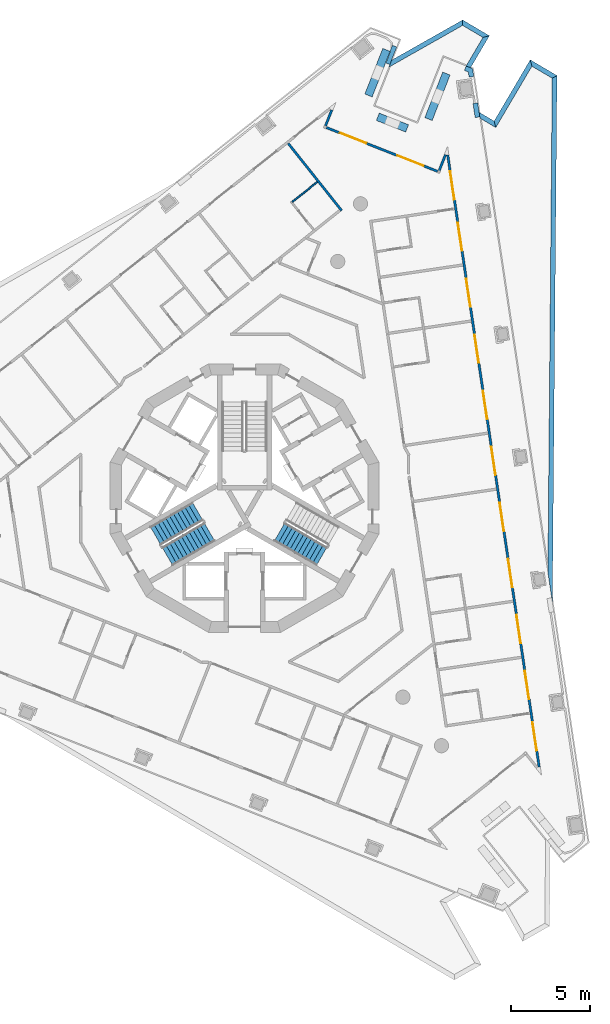
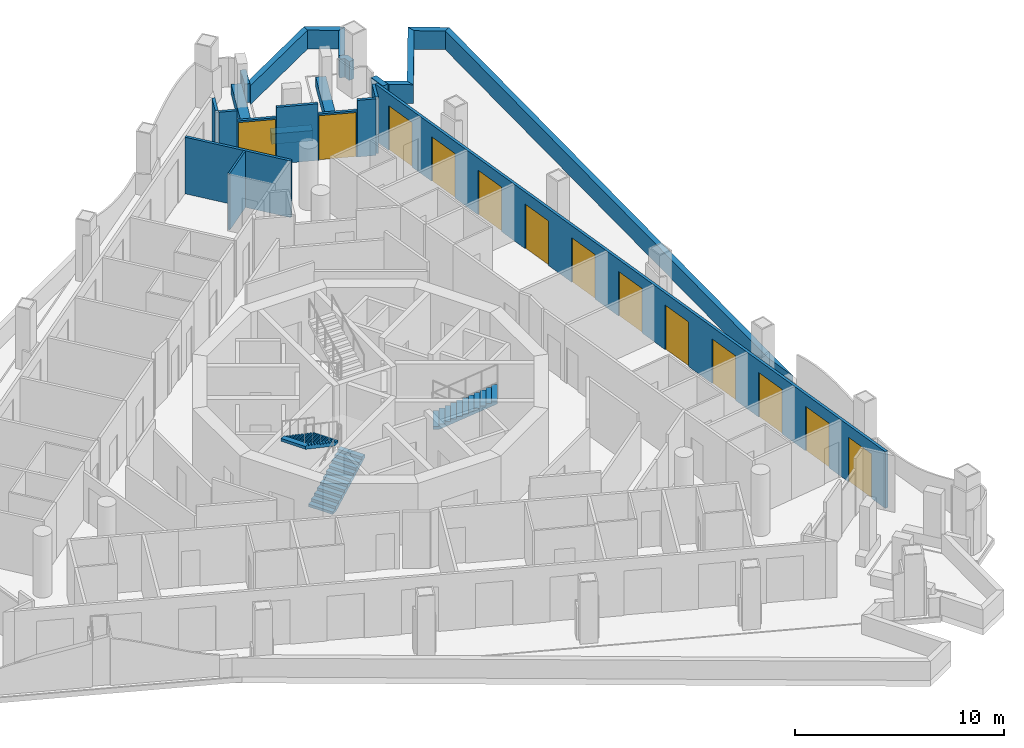
# One storey, part 9 of 16: 23 walls, 13 doors, 3 stair flights, 13 openings, 2 elements without a shape of their own.
"""IFC4 building model written with IfcOpenShell, lengths in metres."""

from ifc_helpers import new_model, si_unit, direction, frame, frame_2d, origin, place, context, subcontext, project, spatial, polyline, rectangle, outline, extrude, material, layer, layer_set, type_object, element, fill, aggregate, save


model = new_model("IFC4")

# Units and contexts
model_context = context("Model", 3, precision=1e-05, world=origin(), true_north=direction((0.0, 1.0)))
body_context = subcontext(model_context, "Body", "Model", "MODEL_VIEW")
ifc_project = project(units=[si_unit("LENGTHUNIT", "METRE"), si_unit("AREAUNIT", "SQUARE_METRE"), si_unit("VOLUMEUNIT", "CUBIC_METRE"), si_unit("PLANEANGLEUNIT", "RADIAN"), si_unit("MASSUNIT", "GRAM", prefix="KILO")], contexts=[model_context])

# Site, building, storey
site_placement = place(None, origin())
site = spatial("IfcSite", under=ifc_project, at=site_placement, CompositionType="ELEMENT")
building_placement = place(site_placement, origin())
building = spatial("IfcBuilding", under=site, at=building_placement, Name="Trine Commons Tower", CompositionType="ELEMENT")
storey_placement = place(building_placement, frame((0.0, 0.0, 198.0)))
storey = spatial("IfcBuildingStorey", under=building, at=storey_placement, Name="L51", CompositionType="ELEMENT", Elevation=198.0)

# Walls
ifc_material_1 = material(Name="Aluminium-framed insulated wall panel", Category="aluminium")
ifc_layer_1 = layer(ifc_material_1, 0.14990234375)
ifc_layer_set_1 = layer_set([ifc_layer_1], Name="Aluminium-framed insulated wall panel")
wall_type_1 = type_object("IfcWallType", Name="Glazed frame wall 150, EI 60", PredefinedType="SOLIDWALL", material=ifc_layer_set_1)
wall_1_placement = place(storey_placement, frame((85.575927734375, 87.201171875, 0.0), z_axis=(0.0, 0.0, 1.0), x_axis=(-0.366472142006, -0.930429024232, 0.0)))
element("IfcWall", 1, at=wall_1_placement, inside=storey, type_object=wall_type_1, Name="Glazed frame wall R2", PredefinedType="SOLIDWALL", context=body_context, shape_type="SweptSolid", body=[
    extrude(outline(polyline([(0.1494140625, 0.074951171875), (0.1494140625, -0.074951171875), (1.235107421875, -0.074951171875), (1.235107421875, 0.074951171875), (0.1494140625, 0.074951171875)])), origin(), (0.0, 0.0, 1.0), 3.300048828125),
])
wall_2_placement = place(storey_placement, frame((85.063232421875, 85.9951171875, 0.0), z_axis=(0.0, 0.0, 1.0), x_axis=(0.930433620143, -0.366460473323, 0.0)))
element("IfcWall", 2, at=wall_2_placement, inside=storey, type_object=wall_type_1, Name="Glazed frame wall P1.1", PredefinedType="SOLIDWALL", context=body_context, shape_type="SweptSolid", body=[
    extrude(outline(polyline([(0.110107421875, -0.074951171875), (1.0, -0.074951171875), (1.0, 0.074951171875), (0.110107421875, 0.074951171875), (0.110107421875, -0.074951171875)])), origin(), (0.0, 0.0, 1.0), 3.300048828125),
])

# Wall, opening, door
wall_3_placement = place(storey_placement, frame((85.99365234375, 85.628662109375, 0.0), z_axis=(0.0, 0.0, 1.0), x_axis=(0.930387146689, -0.366578446279, 0.0)))
wall_3 = element("IfcWall", 3, at=wall_3_placement, inside=storey, type_object=wall_type_1, Name="Glazed frame wall P1.2", PredefinedType="SOLIDWALL", context=body_context, shape_type="SweptSolid", body=[
    extrude(outline(polyline([(0.0, -0.074951171875), (1.89990234375, -0.074951171875), (1.89990234375, 0.074951171875), (0.0, 0.074951171875), (0.0, -0.074951171875)])), origin(), (0.0, 0.0, 1.0), 2.699951171875),
])
opening_1_placement = place(wall_3_placement, frame((0.050048828125, 0.0, 0.0)))
opening_1 = element("IfcOpeningElement", 4, at=opening_1_placement, cuts=wall_3, Name="Opening BD-6P1-01", PredefinedType="OPENING", context=body_context, shape_type="SweptSolid", body=[
    extrude(rectangle(XDim=1.800048828125, YDim=2.60009765625, at=frame_2d((0.89990234375, 1.300048828125))), frame((0.0, 0.0849609375, 0.0), z_axis=(0.0, -1.0, 0.0), x_axis=(1.0, 0.0, 0.0)), (0.0, 0.0, 1.0), 0.169921875),
])
ifc_material_2 = material(Name="Anodised aluminium frame with double glazing", Category="aluminium")
door_type = type_object("IfcDoorType", Name="Sliding loggia door 1800x2600", OperationType="SLIDING_TO_LEFT", PredefinedType="DOOR", material=ifc_material_2)
door_1_placement = place(opening_1_placement, origin())
door_1 = element("IfcDoor", 5, at=door_1_placement, inside=storey, type_object=door_type, Name="Loggia door P1 1", OperationType="SLIDING_TO_LEFT", OverallHeight=2.60009765625, OverallWidth=1.800048828125, PredefinedType="DOOR", context=body_context, shape_type="SweptSolid", body=[
    extrude(rectangle(XDim=1.800048828125, YDim=2.60009765625, at=frame_2d((0.89990234375, 1.300048828125))), frame((0.0, 0.02490234375, 0.0), z_axis=(0.0, -1.0, 0.0), x_axis=(1.0, 0.0, 0.0)), (0.0, 0.0, 1.0), 0.050048828125),
])
fill(opening_1, door_1)

# Wall
wall_4_placement = place(storey_placement, frame((87.761474609375, 84.93212890625, 0.0), z_axis=(0.0, 0.0, 1.0), x_axis=(0.930433620143, -0.366460473323, 0.0)))
element("IfcWall", 6, at=wall_4_placement, inside=storey, type_object=wall_type_1, Name="Glazed frame wall P1.3", PredefinedType="SOLIDWALL", context=body_context, shape_type="SweptSolid", body=[
    extrude(outline(polyline([(0.0, -0.074951171875), (2.0, -0.074951171875), (2.0, 0.074951171875), (0.0, 0.074951171875), (0.0, -0.074951171875)])), origin(), (0.0, 0.0, 1.0), 3.300048828125),
])

# Wall, opening, door
wall_5_placement = place(storey_placement, frame((89.622314453125, 84.19921875, 0.0), z_axis=(0.0, 0.0, 1.0), x_axis=(0.930387146689, -0.366578446279, 0.0)))
wall_5 = element("IfcWall", 7, at=wall_5_placement, inside=storey, type_object=wall_type_1, Name="Glazed frame wall P1.4", PredefinedType="SOLIDWALL", context=body_context, shape_type="SweptSolid", body=[
    extrude(outline(polyline([(0.0, -0.074951171875), (1.89990234375, -0.074951171875), (1.89990234375, 0.074951171875), (0.0, 0.074951171875), (0.0, -0.074951171875)])), origin(), (0.0, 0.0, 1.0), 2.699951171875),
])
opening_2_placement = place(wall_5_placement, frame((0.050048828125, 0.0, 0.0)))
opening_2 = element("IfcOpeningElement", 8, at=opening_2_placement, cuts=wall_5, Name="Opening BD-6P1-02", PredefinedType="OPENING", context=body_context, shape_type="SweptSolid", body=[
    extrude(rectangle(XDim=1.800048828125, YDim=2.60009765625, at=frame_2d((0.89990234375, 1.300048828125))), frame((0.0, 0.0849609375, 0.0), z_axis=(0.0, -1.0, 0.0), x_axis=(1.0, 0.0, 0.0)), (0.0, 0.0, 1.0), 0.169921875),
])
door_2_placement = place(opening_2_placement, origin())
door_2 = element("IfcDoor", 9, at=door_2_placement, inside=storey, type_object=door_type, Name="Loggia door P1 2", OperationType="SLIDING_TO_LEFT", OverallHeight=2.60009765625, OverallWidth=1.800048828125, PredefinedType="DOOR", context=body_context, shape_type="SweptSolid", body=[
    extrude(rectangle(XDim=1.800048828125, YDim=2.60009765625, at=frame_2d((0.89990234375, 1.300048828125))), frame((0.0, 0.02490234375, 0.0), z_axis=(0.0, -1.0, 0.0), x_axis=(1.0, 0.0, 0.0)), (0.0, 0.0, 1.0), 0.050048828125),
])
fill(opening_2, door_2)

# Walls
wall_6_placement = place(storey_placement, frame((91.39013671875, 83.502685546875, 0.0), z_axis=(0.0, 0.0, 1.0), x_axis=(0.930433620143, -0.366460473323, 0.0)))
element("IfcWall", 10, at=wall_6_placement, inside=storey, type_object=wall_type_1, Name="Glazed frame wall P1.5", PredefinedType="SOLIDWALL", context=body_context, shape_type="SweptSolid", body=[
    extrude(outline(polyline([(0.889892578125, 0.074951171875), (0.0, 0.074951171875), (0.0, -0.074951171875), (0.889892578125, -0.074951171875), (0.889892578125, 0.074951171875)])), origin(), (0.0, 0.0, 1.0), 3.300048828125),
])
wall_7_placement = place(storey_placement, frame((92.275146484375, 83.11669921875, 0.0), z_axis=(0.0, 0.0, 1.0), x_axis=(0.366534042844, 0.9304046407, 0.0)))
element("IfcWall", 11, at=wall_7_placement, inside=storey, type_object=wall_type_1, Name="Glazed frame wall R4", PredefinedType="SOLIDWALL", context=body_context, shape_type="SweptSolid", body=[
    extrude(outline(polyline([(0.110107421875, 0.074951171875), (0.110107421875, -0.074951171875), (1.19580078125, -0.074951171875), (1.19580078125, 0.074951171875), (0.110107421875, 0.074951171875)])), origin(), (0.0, 0.0, 1.0), 3.300048828125),
])

# Wall, openings, doors
wall_8_placement = place(storey_placement, frame((92.835205078125, 84.3603515625, 0.0), z_axis=(0.0, 0.0, 1.0), x_axis=(0.147810490781, -0.989015702006, 0.0)))
wall_8 = element("IfcWall", 12, at=wall_8_placement, inside=storey, type_object=wall_type_1, Name="Glazed frame wall F2", PredefinedType="SOLIDWALL", context=body_context, shape_type="SweptSolid", body=[
    extrude(outline(polyline([(0.1494140625, 0.074951171875), (0.1494140625, -0.074951171875), (39.296875, -0.074951171875), (39.296875, 0.074951171875), (0.1494140625, 0.074951171875)])), origin(), (0.0, 0.0, 1.0), 3.300048828125),
])
opening_3_placement = place(wall_8_placement, frame((1.193115234375, 0.0, 0.0)))
opening_3 = element("IfcOpeningElement", 13, at=opening_3_placement, cuts=wall_8, Name="Opening BD-6F2-01", PredefinedType="OPENING", context=body_context, shape_type="SweptSolid", body=[
    extrude(rectangle(XDim=1.800048828125, YDim=2.60009765625, at=frame_2d((0.89990234375, 1.300048828125))), frame((0.0, 0.0849609375, 0.0), z_axis=(0.0, -1.0, 0.0), x_axis=(1.0, 0.0, 0.0)), (0.0, 0.0, 1.0), 0.169921875),
])
opening_4_placement = place(wall_8_placement, frame((4.47900390625, 0.0, 0.0)))
opening_4 = element("IfcOpeningElement", 14, at=opening_4_placement, cuts=wall_8, Name="Opening BD-6F2-02", PredefinedType="OPENING", context=body_context, shape_type="SweptSolid", body=[
    extrude(rectangle(XDim=1.800048828125, YDim=2.60009765625, at=frame_2d((0.89990234375, 1.300048828125))), frame((0.0, 0.0849609375, 0.0), z_axis=(0.0, -1.0, 0.0), x_axis=(1.0, 0.0, 0.0)), (0.0, 0.0, 1.0), 0.169921875),
])
opening_5_placement = place(wall_8_placement, frame((8.06494140625, 0.0, 0.0)))
opening_5 = element("IfcOpeningElement", 15, at=opening_5_placement, cuts=wall_8, Name="Opening BD-6F2-03", PredefinedType="OPENING", context=body_context, shape_type="SweptSolid", body=[
    extrude(rectangle(XDim=1.800048828125, YDim=2.60009765625, at=frame_2d((0.89990234375, 1.300048828125))), frame((0.0, 0.0849609375, 0.0), z_axis=(0.0, -1.0, 0.0), x_axis=(1.0, 0.0, 0.0)), (0.0, 0.0, 1.0), 0.169921875),
])
opening_6_placement = place(wall_8_placement, frame((11.65087890625, 0.0, 0.0)))
opening_6 = element("IfcOpeningElement", 16, at=opening_6_placement, cuts=wall_8, Name="Opening BD-6F2-04", PredefinedType="OPENING", context=body_context, shape_type="SweptSolid", body=[
    extrude(rectangle(XDim=1.800048828125, YDim=2.60009765625, at=frame_2d((0.89990234375, 1.300048828125))), frame((0.0, 0.0849609375, 0.0), z_axis=(0.0, -1.0, 0.0), x_axis=(1.0, 0.0, 0.0)), (0.0, 0.0, 1.0), 0.169921875),
])
opening_7_placement = place(wall_8_placement, frame((15.237060546875, 0.0, 0.0)))
opening_7 = element("IfcOpeningElement", 17, at=opening_7_placement, cuts=wall_8, Name="Opening BD-6F2-05", PredefinedType="OPENING", context=body_context, shape_type="SweptSolid", body=[
    extrude(rectangle(XDim=1.800048828125, YDim=2.60009765625, at=frame_2d((0.89990234375, 1.300048828125))), frame((0.0, 0.0849609375, 0.0), z_axis=(0.0, -1.0, 0.0), x_axis=(1.0, 0.0, 0.0)), (0.0, 0.0, 1.0), 0.169921875),
])
opening_8_placement = place(wall_8_placement, frame((18.822998046875, 0.0, 0.0)))
opening_8 = element("IfcOpeningElement", 18, at=opening_8_placement, cuts=wall_8, Name="Opening BD-6F2-06", PredefinedType="OPENING", context=body_context, shape_type="SweptSolid", body=[
    extrude(rectangle(XDim=1.800048828125, YDim=2.60009765625, at=frame_2d((0.89990234375, 1.300048828125))), frame((0.0, 0.0849609375, 0.0), z_axis=(0.0, -1.0, 0.0), x_axis=(1.0, 0.0, 0.0)), (0.0, 0.0, 1.0), 0.169921875),
])
opening_9_placement = place(wall_8_placement, frame((22.408935546875, 0.0, 0.0)))
opening_9 = element("IfcOpeningElement", 19, at=opening_9_placement, cuts=wall_8, Name="Opening BD-6F2-07", PredefinedType="OPENING", context=body_context, shape_type="SweptSolid", body=[
    extrude(rectangle(XDim=1.800048828125, YDim=2.60009765625, at=frame_2d((0.89990234375, 1.300048828125))), frame((0.0, 0.0849609375, 0.0), z_axis=(0.0, -1.0, 0.0), x_axis=(1.0, 0.0, 0.0)), (0.0, 0.0, 1.0), 0.169921875),
])
opening_10_placement = place(wall_8_placement, frame((25.9951171875, 0.0, 0.0)))
opening_10 = element("IfcOpeningElement", 20, at=opening_10_placement, cuts=wall_8, Name="Opening BD-6F2-08", PredefinedType="OPENING", context=body_context, shape_type="SweptSolid", body=[
    extrude(rectangle(XDim=1.800048828125, YDim=2.60009765625, at=frame_2d((0.89990234375, 1.300048828125))), frame((0.0, 0.0849609375, 0.0), z_axis=(0.0, -1.0, 0.0), x_axis=(1.0, 0.0, 0.0)), (0.0, 0.0, 1.0), 0.169921875),
])
opening_11_placement = place(wall_8_placement, frame((29.5810546875, 0.0, 0.0)))
opening_11 = element("IfcOpeningElement", 21, at=opening_11_placement, cuts=wall_8, Name="Opening BD-6F2-09", PredefinedType="OPENING", context=body_context, shape_type="SweptSolid", body=[
    extrude(rectangle(XDim=1.800048828125, YDim=2.60009765625, at=frame_2d((0.89990234375, 1.300048828125))), frame((0.0, 0.0849609375, 0.0), z_axis=(0.0, -1.0, 0.0), x_axis=(1.0, 0.0, 0.0)), (0.0, 0.0, 1.0), 0.169921875),
])
opening_12_placement = place(wall_8_placement, frame((33.1669921875, 0.0, 0.0)))
opening_12 = element("IfcOpeningElement", 22, at=opening_12_placement, cuts=wall_8, Name="Opening BD-6F2-10", PredefinedType="OPENING", context=body_context, shape_type="SweptSolid", body=[
    extrude(rectangle(XDim=1.800048828125, YDim=2.60009765625, at=frame_2d((0.89990234375, 1.300048828125))), frame((0.0, 0.0849609375, 0.0), z_axis=(0.0, -1.0, 0.0), x_axis=(1.0, 0.0, 0.0)), (0.0, 0.0, 1.0), 0.169921875),
])
opening_13_placement = place(wall_8_placement, frame((36.452880859375, 0.0, 0.0)))
opening_13 = element("IfcOpeningElement", 23, at=opening_13_placement, cuts=wall_8, Name="Opening BD-6F2-11", PredefinedType="OPENING", context=body_context, shape_type="SweptSolid", body=[
    extrude(rectangle(XDim=1.800048828125, YDim=2.60009765625, at=frame_2d((0.89990234375, 1.300048828125))), frame((0.0, 0.0849609375, 0.0), z_axis=(0.0, -1.0, 0.0), x_axis=(1.0, 0.0, 0.0)), (0.0, 0.0, 1.0), 0.169921875),
])
door_3_placement = place(opening_3_placement, origin())
door_3 = element("IfcDoor", 24, at=door_3_placement, inside=storey, type_object=door_type, Name="Loggia door F2 1", OperationType="SLIDING_TO_LEFT", OverallHeight=2.60009765625, OverallWidth=1.800048828125, PredefinedType="DOOR", context=body_context, shape_type="SweptSolid", body=[
    extrude(rectangle(XDim=1.800048828125, YDim=2.60009765625, at=frame_2d((0.89990234375, 1.300048828125))), frame((0.0, 0.02490234375, 0.0), z_axis=(0.0, -1.0, 0.0), x_axis=(1.0, 0.0, 0.0)), (0.0, 0.0, 1.0), 0.050048828125),
])
fill(opening_3, door_3)
door_4_placement = place(opening_4_placement, origin())
door_4 = element("IfcDoor", 25, at=door_4_placement, inside=storey, type_object=door_type, Name="Loggia door F2 2", OperationType="SLIDING_TO_LEFT", OverallHeight=2.60009765625, OverallWidth=1.800048828125, PredefinedType="DOOR", context=body_context, shape_type="SweptSolid", body=[
    extrude(rectangle(XDim=1.800048828125, YDim=2.60009765625, at=frame_2d((0.89990234375, 1.300048828125))), frame((0.0, 0.02490234375, 0.0), z_axis=(0.0, -1.0, 0.0), x_axis=(1.0, 0.0, 0.0)), (0.0, 0.0, 1.0), 0.050048828125),
])
fill(opening_4, door_4)
door_5_placement = place(opening_5_placement, origin())
door_5 = element("IfcDoor", 26, at=door_5_placement, inside=storey, type_object=door_type, Name="Loggia door F2 3", OperationType="SLIDING_TO_LEFT", OverallHeight=2.60009765625, OverallWidth=1.800048828125, PredefinedType="DOOR", context=body_context, shape_type="SweptSolid", body=[
    extrude(rectangle(XDim=1.800048828125, YDim=2.60009765625, at=frame_2d((0.89990234375, 1.300048828125))), frame((0.0, 0.02490234375, 0.0), z_axis=(0.0, -1.0, 0.0), x_axis=(1.0, 0.0, 0.0)), (0.0, 0.0, 1.0), 0.050048828125),
])
fill(opening_5, door_5)
door_6_placement = place(opening_6_placement, origin())
door_6 = element("IfcDoor", 27, at=door_6_placement, inside=storey, type_object=door_type, Name="Loggia door F2 4", OperationType="SLIDING_TO_LEFT", OverallHeight=2.60009765625, OverallWidth=1.800048828125, PredefinedType="DOOR", context=body_context, shape_type="SweptSolid", body=[
    extrude(rectangle(XDim=1.800048828125, YDim=2.60009765625, at=frame_2d((0.89990234375, 1.300048828125))), frame((0.0, 0.02490234375, 0.0), z_axis=(0.0, -1.0, 0.0), x_axis=(1.0, 0.0, 0.0)), (0.0, 0.0, 1.0), 0.050048828125),
])
fill(opening_6, door_6)
door_7_placement = place(opening_7_placement, origin())
door_7 = element("IfcDoor", 28, at=door_7_placement, inside=storey, type_object=door_type, Name="Loggia door F2 5", OperationType="SLIDING_TO_LEFT", OverallHeight=2.60009765625, OverallWidth=1.800048828125, PredefinedType="DOOR", context=body_context, shape_type="SweptSolid", body=[
    extrude(rectangle(XDim=1.800048828125, YDim=2.60009765625, at=frame_2d((0.89990234375, 1.300048828125))), frame((0.0, 0.02490234375, 0.0), z_axis=(0.0, -1.0, 0.0), x_axis=(1.0, 0.0, 0.0)), (0.0, 0.0, 1.0), 0.050048828125),
])
fill(opening_7, door_7)
door_8_placement = place(opening_8_placement, origin())
door_8 = element("IfcDoor", 29, at=door_8_placement, inside=storey, type_object=door_type, Name="Loggia door F2 6", OperationType="SLIDING_TO_LEFT", OverallHeight=2.60009765625, OverallWidth=1.800048828125, PredefinedType="DOOR", context=body_context, shape_type="SweptSolid", body=[
    extrude(rectangle(XDim=1.800048828125, YDim=2.60009765625, at=frame_2d((0.89990234375, 1.300048828125))), frame((0.0, 0.02490234375, 0.0), z_axis=(0.0, -1.0, 0.0), x_axis=(1.0, 0.0, 0.0)), (0.0, 0.0, 1.0), 0.050048828125),
])
fill(opening_8, door_8)
door_9_placement = place(opening_9_placement, origin())
door_9 = element("IfcDoor", 30, at=door_9_placement, inside=storey, type_object=door_type, Name="Loggia door F2 7", OperationType="SLIDING_TO_LEFT", OverallHeight=2.60009765625, OverallWidth=1.800048828125, PredefinedType="DOOR", context=body_context, shape_type="SweptSolid", body=[
    extrude(rectangle(XDim=1.800048828125, YDim=2.60009765625, at=frame_2d((0.89990234375, 1.300048828125))), frame((0.0, 0.02490234375, 0.0), z_axis=(0.0, -1.0, 0.0), x_axis=(1.0, 0.0, 0.0)), (0.0, 0.0, 1.0), 0.050048828125),
])
fill(opening_9, door_9)
door_10_placement = place(opening_10_placement, origin())
door_10 = element("IfcDoor", 31, at=door_10_placement, inside=storey, type_object=door_type, Name="Loggia door F2 8", OperationType="SLIDING_TO_LEFT", OverallHeight=2.60009765625, OverallWidth=1.800048828125, PredefinedType="DOOR", context=body_context, shape_type="SweptSolid", body=[
    extrude(rectangle(XDim=1.800048828125, YDim=2.60009765625, at=frame_2d((0.89990234375, 1.300048828125))), frame((0.0, 0.02490234375, 0.0), z_axis=(0.0, -1.0, 0.0), x_axis=(1.0, 0.0, 0.0)), (0.0, 0.0, 1.0), 0.050048828125),
])
fill(opening_10, door_10)
door_11_placement = place(opening_11_placement, origin())
door_11 = element("IfcDoor", 32, at=door_11_placement, inside=storey, type_object=door_type, Name="Loggia door F2 9", OperationType="SLIDING_TO_LEFT", OverallHeight=2.60009765625, OverallWidth=1.800048828125, PredefinedType="DOOR", context=body_context, shape_type="SweptSolid", body=[
    extrude(rectangle(XDim=1.800048828125, YDim=2.60009765625, at=frame_2d((0.89990234375, 1.300048828125))), frame((0.0, 0.02490234375, 0.0), z_axis=(0.0, -1.0, 0.0), x_axis=(1.0, 0.0, 0.0)), (0.0, 0.0, 1.0), 0.050048828125),
])
fill(opening_11, door_11)
door_12_placement = place(opening_12_placement, origin())
door_12 = element("IfcDoor", 33, at=door_12_placement, inside=storey, type_object=door_type, Name="Loggia door F2 10", OperationType="SLIDING_TO_LEFT", OverallHeight=2.60009765625, OverallWidth=1.800048828125, PredefinedType="DOOR", context=body_context, shape_type="SweptSolid", body=[
    extrude(rectangle(XDim=1.800048828125, YDim=2.60009765625, at=frame_2d((0.89990234375, 1.300048828125))), frame((0.0, 0.02490234375, 0.0), z_axis=(0.0, -1.0, 0.0), x_axis=(1.0, 0.0, 0.0)), (0.0, 0.0, 1.0), 0.050048828125),
])
fill(opening_12, door_12)
door_13_placement = place(opening_13_placement, origin())
door_13 = element("IfcDoor", 34, at=door_13_placement, inside=storey, type_object=door_type, Name="Loggia door F2 11", OperationType="SLIDING_TO_LEFT", OverallHeight=2.60009765625, OverallWidth=1.800048828125, PredefinedType="DOOR", context=body_context, shape_type="SweptSolid", body=[
    extrude(rectangle(XDim=1.800048828125, YDim=2.60009765625, at=frame_2d((0.89990234375, 1.300048828125))), frame((0.0, 0.02490234375, 0.0), z_axis=(0.0, -1.0, 0.0), x_axis=(1.0, 0.0, 0.0)), (0.0, 0.0, 1.0), 0.050048828125),
])
fill(opening_13, door_13)

# Walls
ifc_material_3 = material(Name="Planter trough, precast concrete C40/50", Category="concrete")
ifc_layer_2 = layer(ifc_material_3, 0.5)
ifc_layer_set_2 = layer_set([ifc_layer_2], Name="Planter trough, precast concrete C40/50")
wall_type_2 = type_object("IfcWallType", Name="Planter trough 500x600", PredefinedType="PARAPET", material=ifc_layer_set_2)
wall_9_placement = place(storey_placement, frame((88.97998046875, 90.86328125, 0.0), z_axis=(0.0, 0.0, 1.0), x_axis=(-0.366456340628, -0.930435247835, 0.0)))
element("IfcWall", 35, at=wall_9_placement, inside=storey, type_object=wall_type_2, Name="Planter 4", PredefinedType="PARAPET", context=body_context, shape_type="SweptSolid", body=[
    extrude(rectangle(XDim=3.099853515625, YDim=0.5, at=frame_2d((1.5498046875, 0.0))), origin(), (0.0, 0.0, 1.0), 0.60009765625),
])
wall_10_placement = place(storey_placement, frame((88.430419921875, 86.630126953125, 0.0), z_axis=(0.0, 0.0, 1.0), x_axis=(0.930417223886, -0.366502100263, 0.0)))
element("IfcWall", 36, at=wall_10_placement, inside=storey, type_object=wall_type_2, Name="Planter 5", PredefinedType="PARAPET", context=body_context, shape_type="SweptSolid", body=[
    extrude(rectangle(XDim=1.999755859375, YDim=0.5, at=frame_2d((1.0, 0.0))), origin(), (0.0, 0.0, 1.0), 0.60009765625),
])
wall_11_placement = place(storey_placement, frame((91.639892578125, 86.483642578125, 0.0), z_axis=(0.0, 0.0, 1.0), x_axis=(0.366524518382, 0.930408392817, 0.0)))
element("IfcWall", 37, at=wall_11_placement, inside=storey, type_object=wall_type_2, Name="Planter 6", PredefinedType="PARAPET", context=body_context, shape_type="SweptSolid", body=[
    extrude(rectangle(XDim=3.10009765625, YDim=0.5, at=frame_2d((1.550048828125, 0.0))), origin(), (0.0, 0.0, 1.0), 0.60009765625),
])
ifc_material_4 = material(Name="Limestone, honed", Category="masonry")
ifc_layer_3 = layer(ifc_material_4, 0.300048828125)
ifc_layer_set_3 = layer_set([ifc_layer_3], Name="Limestone, honed")
wall_type_3 = type_object("IfcWallType", Name="Stone parapet 300", PredefinedType="PARAPET", material=ifc_layer_set_3)
wall_12_placement = place(storey_placement, origin())
element("IfcWall", 38, at=wall_12_placement, inside=storey, type_object=wall_type_3, Name="Sliver roof parapet L50 4.1", PredefinedType="PARAPET", context=body_context, shape_type="SweptSolid", body=[
    extrude(outline(polyline([(94.301513671875, 89.734619140625), (95.494384765625, 91.759765625), (95.08349609375, 91.653564453125), (94.018798828125, 89.845703125), (94.301513671875, 89.734619140625)])), origin(), (0.0, 0.0, 1.0), 1.10009765625),
])
wall_13_placement = place(storey_placement, origin())
element("IfcWall", 39, at=wall_13_placement, inside=storey, type_object=wall_type_3, Name="Sliver roof parapet L50 4.2", PredefinedType="PARAPET", context=body_context, shape_type="SweptSolid", body=[
    extrude(outline(polyline([(95.494384765625, 91.759765625), (93.802001953125, 92.756591796875), (93.799072265625, 92.41015625), (95.08349609375, 91.653564453125), (95.494384765625, 91.759765625)])), origin(), (0.0, 0.0, 1.0), 1.10009765625),
])
wall_14_placement = place(storey_placement, origin())
element("IfcWall", 40, at=wall_14_placement, inside=storey, type_object=wall_type_3, Name="Sliver roof parapet L50 4.3", PredefinedType="PARAPET", context=body_context, shape_type="SweptSolid", body=[
    extrude(outline(polyline([(93.802001953125, 92.756591796875), (89.3037109375, 90.21142578125), (89.12890625, 89.76806640625), (93.799072265625, 92.41015625), (93.802001953125, 92.756591796875)])), origin(), (0.0, 0.0, 1.0), 1.10009765625),
])
wall_15_placement = place(storey_placement, origin())
element("IfcWall", 41, at=wall_15_placement, inside=storey, type_object=wall_type_3, Name="Sliver roof parapet extension L50 4.X1", PredefinedType="PARAPET", context=body_context, shape_type="SweptSolid", body=[
    extrude(outline(polyline([(94.506591796875, 89.17822265625), (94.4326171875, 89.6728515625), (94.394287109375, 89.69775390625), (94.022216796875, 89.844482421875), (93.912353515625, 89.565185546875), (94.159912109375, 89.4677734375), (94.209716796875, 89.134033203125), (94.506591796875, 89.17822265625)])), origin(), (0.0, 0.0, 1.0), 1.10009765625),
])
wall_16_placement = place(storey_placement, origin())
element("IfcWall", 42, at=wall_16_placement, inside=storey, type_object=wall_type_3, Name="Sliver roof parapet extension L50 4.X2", PredefinedType="PARAPET", context=body_context, shape_type="SweptSolid", body=[
    extrude(outline(polyline([(89.210693359375, 90.7939453125), (89.238525390625, 90.782958984375), (88.9423828125, 90.031494140625), (89.193603515625, 89.932373046875), (89.361572265625, 90.358642578125), (89.633544921875, 91.048828125), (89.3544921875, 91.15869140625), (89.210693359375, 90.7939453125)])), origin(), (0.0, 0.0, 1.0), 1.10009765625),
])
wall_17_placement = place(storey_placement, origin())
element("IfcWall", 43, at=wall_17_placement, inside=storey, type_object=wall_type_3, Name="Sliver roof parapet L50 6.1", PredefinedType="PARAPET", context=body_context, shape_type="SweptSolid", body=[
    extrude(outline(polyline([(99.480712890625, 55.8955078125), (99.771484375, 89.240234375), (99.47021484375, 89.069580078125), (99.197021484375, 57.792236328125), (99.480712890625, 55.8955078125)])), origin(), (0.0, 0.0, 1.0), 1.10009765625),
])
wall_18_placement = place(storey_placement, origin())
element("IfcWall", 44, at=wall_18_placement, inside=storey, type_object=wall_type_3, Name="Sliver roof parapet L50 6.2", PredefinedType="PARAPET", context=body_context, shape_type="SweptSolid", body=[
    extrude(outline(polyline([(99.771484375, 89.240234375), (98.079345703125, 90.237060546875), (98.185546875, 89.826416015625), (99.47021484375, 89.069580078125), (99.771484375, 89.240234375)])), origin(), (0.0, 0.0, 1.0), 1.10009765625),
])
wall_19_placement = place(storey_placement, origin())
element("IfcWall", 45, at=wall_19_placement, inside=storey, type_object=wall_type_3, Name="Sliver roof parapet L50 6.3", PredefinedType="PARAPET", context=body_context, shape_type="SweptSolid", body=[
    extrude(outline(polyline([(98.079345703125, 90.237060546875), (95.79541015625, 86.35986328125), (95.901611328125, 85.94921875), (98.185546875, 89.826416015625), (98.079345703125, 90.237060546875)])), origin(), (0.0, 0.0, 1.0), 1.10009765625),
])
wall_20_placement = place(storey_placement, origin())
element("IfcWall", 46, at=wall_20_placement, inside=storey, type_object=wall_type_3, Name="Sliver roof parapet L50 6.4", PredefinedType="PARAPET", context=body_context, shape_type="SweptSolid", body=[
    extrude(outline(polyline([(95.79541015625, 86.35986328125), (94.843994140625, 86.920166015625), (94.901123046875, 86.538330078125), (95.901611328125, 85.94921875), (95.79541015625, 86.35986328125)])), origin(), (0.0, 0.0, 1.0), 1.10009765625),
])
wall_21_placement = place(storey_placement, origin())
element("IfcWall", 47, at=wall_21_placement, inside=storey, type_object=wall_type_3, Name="Sliver roof parapet extension L50 6.X2", PredefinedType="PARAPET", context=body_context, shape_type="SweptSolid", body=[
    extrude(outline(polyline([(94.75537109375, 87.513671875), (94.45849609375, 87.46923828125), (94.591552734375, 86.5791015625), (94.88818359375, 86.62353515625), (94.857421875, 86.830078125), (94.75537109375, 87.513671875)])), origin(), (0.0, 0.0, 1.0), 1.10009765625),
])
ifc_material_5 = material(Name="Gypsum plasterboard on steel stud", Category="steel")
ifc_layer_4 = layer(ifc_material_5, 0.14990234375)
ifc_layer_set_4 = layer_set([ifc_layer_4], Name="Gypsum plasterboard on steel stud")
wall_type_4 = type_object("IfcWallType", Name="Unit and corridor wall 150 mm, EI 60", PredefinedType="PARTITIONING", material=ifc_layer_set_4)
wall_22_placement = place(storey_placement, frame((82.761962890625, 84.94970703125, 0.0), z_axis=(0.0, 0.0, 1.0), x_axis=(0.622457280045, -0.782653776915, 0.0)))
element("IfcWall", 48, at=wall_22_placement, inside=storey, type_object=wall_type_4, Name="Partition 065", PredefinedType="PARTITIONING", context=body_context, shape_type="SweptSolid", body=[
    extrude(rectangle(XDim=5.4345703125, YDim=0.14990234375, at=frame_2d((2.71728515625, 0.0))), origin(), (0.0, 0.0, 1.0), 3.300048828125),
])
ifc_layer_5 = layer(ifc_material_5, 0.10009765625)
ifc_layer_set_5 = layer_set([ifc_layer_5], Name="Gypsum plasterboard on steel stud")
wall_type_5 = type_object("IfcWallType", Name="Unit partition 100 mm, no rating", PredefinedType="PARTITIONING", material=ifc_layer_set_5)
wall_23_placement = place(storey_placement, frame((83.023193359375, 81.248046875, 0.0), z_axis=(0.0, 0.0, 1.0), x_axis=(0.782770551169, 0.622310424324, 0.0)))
element("IfcWall", 49, at=wall_23_placement, inside=storey, type_object=wall_type_5, Name="Partition 070", PredefinedType="PARTITIONING", context=body_context, shape_type="SweptSolid", body=[
    extrude(rectangle(XDim=2.025146484375, YDim=0.10009765625, at=frame_2d((1.0126953125, 0.0))), origin(), (0.0, 0.0, 1.0), 3.300048828125),
])

# Stair, stair flights
ifc_material_6 = material(Name="Concrete C50/60", Category="concrete")
stair_type = type_object("IfcStairType", Name="Exit stair, dog-leg, 24 risers of 150 mm", PredefinedType="HALF_TURN_STAIR", material=ifc_material_6)
stair_1_placement = place(storey_placement, origin())
stair_1 = element("IfcStair", 50, at=stair_1_placement, inside=storey, type_object=stair_type, Name="L51 Exit stair ST2C", PredefinedType="HALF_TURN_STAIR")
stair_flight_type = type_object("IfcStairFlightType", Name="Stair flight, 1350 wide, 12 risers of 150 mm", PredefinedType="STRAIGHT", material=ifc_material_6)
stair_flight_1_placement = place(storey_placement, frame((75.11767578125, 58.815185546875, 0.0), z_axis=(0.0, 0.0, 1.0), x_axis=(0.866025403784, 0.5, 0.0)))
stair_flight_1 = element("IfcStairFlight", 51, at=stair_flight_1_placement, type_object=stair_flight_type, Name="ST2C flight 1", NumberOfRisers=12, NumberOfTreads=11, PredefinedType="STRAIGHT", RiserHeight=0.15, TreadLength=0.28, context=body_context, shape_type="SweptSolid", body=[
    extrude(outline(polyline([(0.0, 0.0), (0.0, 0.14990234375), (0.280029296875, 0.14990234375), (0.280029296875, 0.300048828125), (0.56005859375, 0.300048828125), (0.56005859375, 0.449951171875), (0.840087890625, 0.449951171875), (0.840087890625, 0.60009765625), (1.1201171875, 0.60009765625), (1.1201171875, 0.75), (1.39990234375, 0.75), (1.39990234375, 0.89990234375), (1.679931640625, 0.89990234375), (1.679931640625, 1.050048828125), (1.9599609375, 1.050048828125), (1.9599609375, 1.199951171875), (2.239990234375, 1.199951171875), (2.239990234375, 1.35009765625), (2.52001953125, 1.35009765625), (2.52001953125, 1.5), (2.800048828125, 1.5), (2.800048828125, 1.64990234375), (3.080078125, 1.64990234375), (3.080078125, 1.800048828125), (3.080078125, 1.47998046875), (0.3173828125, 0.0), (0.0, 0.0)])), frame((0.0, 0.675048828125, 0.0), z_axis=(0.0, -1.0, 0.0), x_axis=(1.0, 0.0, 0.0)), (0.0, 0.0, 1.0), 1.35009765625),
])
stair_flight_2_placement = place(storey_placement, frame((77.03515625, 61.654296875, 1.800048828125), z_axis=(0.0, 0.0, 1.0), x_axis=(-0.866025403784, -0.5, 0.0)))
stair_flight_2 = element("IfcStairFlight", 52, at=stair_flight_2_placement, type_object=stair_flight_type, Name="ST2C flight 2", NumberOfRisers=12, NumberOfTreads=11, PredefinedType="STRAIGHT", RiserHeight=0.15, TreadLength=0.28, context=body_context, shape_type="SweptSolid", body=[
    extrude(outline(polyline([(0.0, 0.0), (0.0, 0.14990234375), (0.280029296875, 0.14990234375), (0.280029296875, 0.300048828125), (0.56005859375, 0.300048828125), (0.56005859375, 0.449951171875), (0.840087890625, 0.449951171875), (0.840087890625, 0.60009765625), (1.1201171875, 0.60009765625), (1.1201171875, 0.75), (1.39990234375, 0.75), (1.39990234375, 0.89990234375), (1.679931640625, 0.89990234375), (1.679931640625, 1.050048828125), (1.9599609375, 1.050048828125), (1.9599609375, 1.199951171875), (2.239990234375, 1.199951171875), (2.239990234375, 1.35009765625), (2.52001953125, 1.35009765625), (2.52001953125, 1.5), (2.800048828125, 1.5), (2.800048828125, 1.64990234375), (3.080078125, 1.64990234375), (3.080078125, 1.800048828125), (3.080078125, 1.47998046875), (0.3173828125, 0.0), (0.0, 0.0)])), frame((0.0, 0.675048828125, 0.0), z_axis=(0.0, -1.0, 0.0), x_axis=(1.0, 0.0, 0.0)), (0.0, 0.0, 1.0), 1.35009765625),
])
aggregate(stair_1, [stair_flight_1, stair_flight_2])

# Stair, stair flight
stair_2_placement = place(storey_placement, origin())
stair_2 = element("IfcStair", 53, at=stair_2_placement, inside=storey, type_object=stair_type, Name="L51 Exit stair ST3C", PredefinedType="HALF_TURN_STAIR")
stair_flight_3_placement = place(storey_placement, frame((82.21484375, 60.355224609375, 1.800048828125), z_axis=(0.0, 0.0, 1.0), x_axis=(0.866025403784, -0.5, 0.0)))
stair_flight_3 = element("IfcStairFlight", 54, at=stair_flight_3_placement, type_object=stair_flight_type, Name="ST3C flight 2", NumberOfRisers=12, NumberOfTreads=11, PredefinedType="STRAIGHT", RiserHeight=0.15, TreadLength=0.28, context=body_context, shape_type="SweptSolid", body=[
    extrude(outline(polyline([(0.0, 0.0), (0.0, 0.14990234375), (0.280029296875, 0.14990234375), (0.280029296875, 0.300048828125), (0.56005859375, 0.300048828125), (0.56005859375, 0.449951171875), (0.840087890625, 0.449951171875), (0.840087890625, 0.60009765625), (1.1201171875, 0.60009765625), (1.1201171875, 0.75), (1.39990234375, 0.75), (1.39990234375, 0.89990234375), (1.679931640625, 0.89990234375), (1.679931640625, 1.050048828125), (1.9599609375, 1.050048828125), (1.9599609375, 1.199951171875), (2.239990234375, 1.199951171875), (2.239990234375, 1.35009765625), (2.52001953125, 1.35009765625), (2.52001953125, 1.5), (2.800048828125, 1.5), (2.800048828125, 1.64990234375), (3.080078125, 1.64990234375), (3.080078125, 1.800048828125), (3.080078125, 1.47998046875), (0.3173828125, 0.0), (0.0, 0.0)])), frame((0.0, 0.675048828125, 0.0), z_axis=(0.0, -1.0, 0.0), x_axis=(1.0, 0.0, 0.0)), (0.0, 0.0, 1.0), 1.35009765625),
])
aggregate(stair_2, [stair_flight_3])

save(model, "model.ifc")
